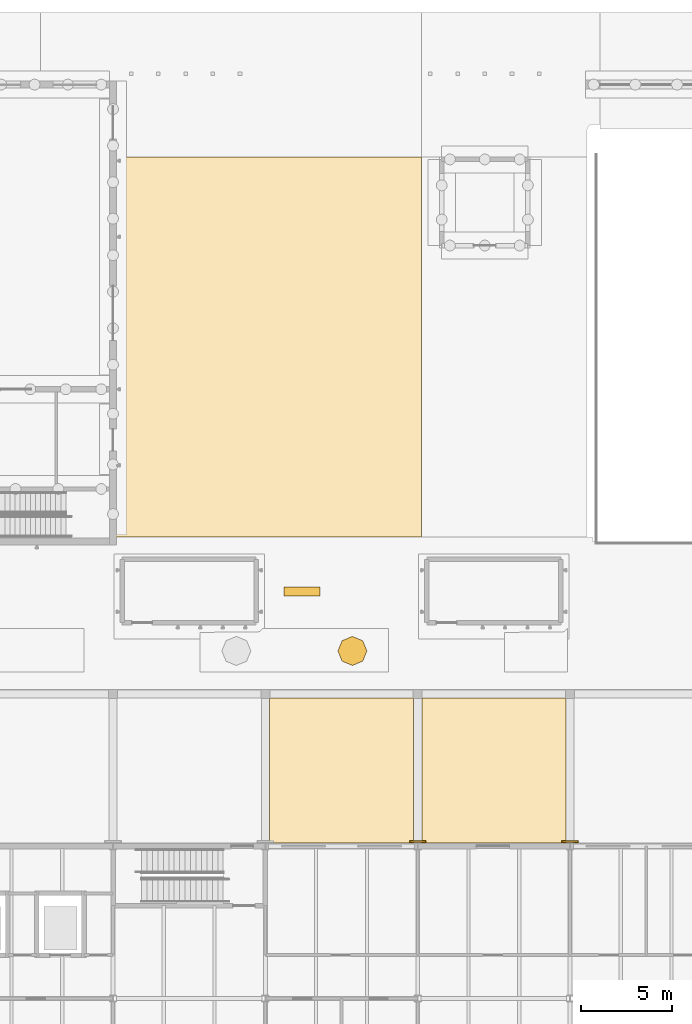
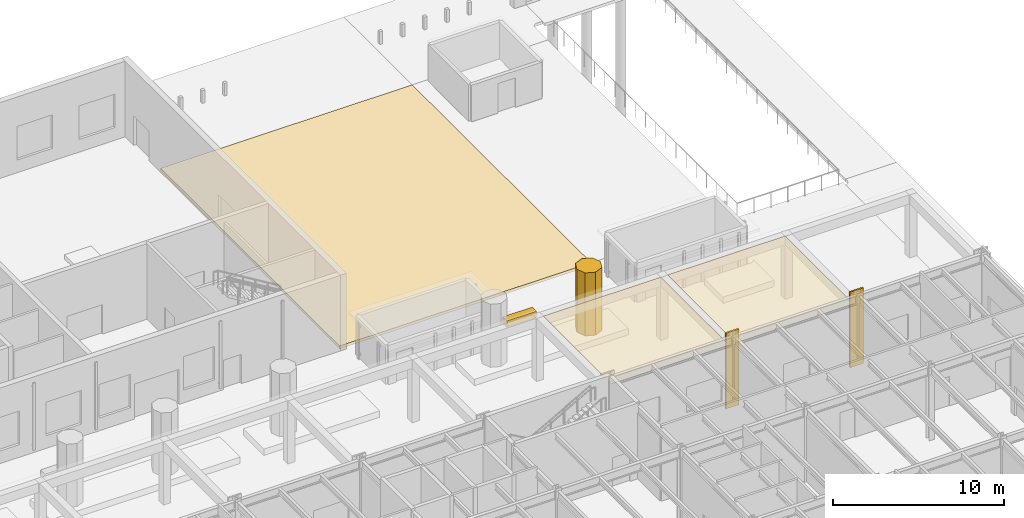
# One storey, part 122 of 127: 7 coverings.
"""IFC4 building model written with IfcOpenShell, lengths in metres."""

from ifc_helpers import new_model, si_unit, direction, frame, origin, origin_2d, place, context, subcontext, project, spatial, polyline, rectangle, outline, extrude, material, layer, layer_set, type_object, element, save


model = new_model("IFC4")

# Units and contexts
model_context = context("Model", 3, precision=1e-05, world=origin(), true_north=direction((0.0, 1.0)))
body_context = subcontext(model_context, "Body", "Model", "MODEL_VIEW")
ifc_project = project(units=[si_unit("LENGTHUNIT", "METRE"), si_unit("AREAUNIT", "SQUARE_METRE"), si_unit("VOLUMEUNIT", "CUBIC_METRE"), si_unit("PLANEANGLEUNIT", "RADIAN"), si_unit("MASSUNIT", "GRAM", prefix="KILO")], contexts=[model_context])

# Site, building, storey
site_placement = place(None, origin())
site = spatial("IfcSite", under=ifc_project, at=site_placement, CompositionType="ELEMENT")
building_placement = place(site_placement, origin())
building = spatial("IfcBuilding", under=site, at=building_placement, Name="Ljudholm Concert House", CompositionType="ELEMENT")
storey_placement = place(building_placement, origin())
storey = spatial("IfcBuildingStorey", under=building, at=storey_placement, Name="L00", CompositionType="ELEMENT", Elevation=0.0)

# Coverings
ifc_material_1 = material(Name="Aluminium soffit panels, timber-grain PVDF finish", Category="aluminium")
ifc_layer_1 = layer(ifc_material_1, 0.02001953125)
ifc_layer_set_1 = layer_set([ifc_layer_1], Name="Aluminium soffit panels, timber-grain PVDF finish")
covering_type_1 = type_object("IfcCoveringType", Name="ALUMINIUM SOFFIT PANELS, TIMBER-GRAIN PVDF FINISH CEILING 20", PredefinedType="CEILING", material=ifc_layer_set_1)
covering_1_placement = place(storey_placement, frame((0.0, 0.0, 4.47998046875)))
element("IfcCovering", 1, at=covering_1_placement, inside=storey, type_object=covering_type_1, Name="Arcade soffit", PredefinedType="CEILING", context=body_context, shape_type="SweptSolid", body=[
    extrude(outline(polyline([(96.625, 130.186767578125), (104.574951171875, 130.186767578125), (104.574951171875, 138.175048828125), (96.625, 138.175048828125), (96.625, 130.186767578125)])), origin(), (0.0, 0.0, 1.0), 0.02001953125),
])
covering_2_placement = place(storey_placement, frame((0.0, 0.0, 4.47998046875)))
element("IfcCovering", 2, at=covering_2_placement, inside=storey, type_object=covering_type_1, Name="Arcade soffit", PredefinedType="CEILING", context=body_context, shape_type="SweptSolid", body=[
    extrude(outline(polyline([(105.02490234375, 130.186767578125), (112.97509765625, 130.186767578125), (112.97509765625, 138.175048828125), (105.02490234375, 138.175048828125), (105.02490234375, 130.186767578125)])), origin(), (0.0, 0.0, 1.0), 0.02001953125),
])
ifc_material_2 = material(Name="Precast concrete pavers on compacted sand bed", Category="concrete")
ifc_layer_2 = layer(ifc_material_2, 0.199951171875)
ifc_layer_set_2 = layer_set([ifc_layer_2], Name="Precast concrete pavers on compacted sand bed")
covering_type_2 = type_object("IfcCoveringType", Name="PRECAST CONCRETE PAVERS ON COMPACTED SAND BED PAVING 200", PredefinedType="USERDEFINED", material=ifc_layer_set_2)
covering_3_placement = place(storey_placement, frame((0.0, 0.0, -0.199951171875)))
element("IfcCovering", 3, at=covering_3_placement, inside=storey, type_object=covering_type_2, Name="Paving", ObjectType="PAVING", PredefinedType="USERDEFINED", context=body_context, shape_type="SweptSolid", body=[
    extrude(outline(polyline([(88.0, 147.050048828125), (88.0, 168.0), (105.0, 168.0), (105.0, 147.050048828125), (88.0, 147.050048828125)])), origin(), (0.0, 0.0, 1.0), 0.199951171875),
])
ifc_material_3 = material(Name="Precast concrete, limestone aggregate", Category="masonry")
ifc_layer_3 = layer(ifc_material_3, 0.110107421875)
ifc_layer_set_3 = layer_set([ifc_layer_3], Name="Precast concrete, limestone aggregate")
covering_type_3 = type_object("IfcCoveringType", Name="PRECAST CONCRETE, LIMESTONE AGGREGATE CLADDING 110", PredefinedType="CLADDING", material=ifc_layer_set_3)
for number, where, z_axis, x_axis, name in (
    (4, (104.800048828125, 130.2451171875, 0.0), (0.0, 0.0, 1.0), (0.0, 1.0, 0.0), "Pilaster cladding"),
    (5, (113.199951171875, 130.2451171875, 0.0), (0.0, 0.0, 1.0), (0.0, 1.0, 0.0), "Pilaster cladding"),
):
    element("IfcCovering", number, at=place(storey_placement, frame(where, z_axis=z_axis, x_axis=x_axis)), inside=storey, type_object=covering_type_3, Name=name, PredefinedType="CLADDING", context=body_context, shape_type="SweptSolid", body=[
        extrude(rectangle(XDim=0.110107421875, YDim=0.89990234375, at=origin_2d()), origin(), (0.0, 0.0, 1.0), 5.39990234375),
    ])
ifc_material_4 = material(Name="Timber-grain hardwood decking on concrete plinth", Category="concrete")
ifc_layer_4 = layer(ifc_material_4, 0.449951171875)
ifc_layer_set_4 = layer_set([ifc_layer_4], Name="Timber-grain hardwood decking on concrete plinth")
covering_type_4 = type_object("IfcCoveringType", Name="TIMBER-GRAIN HARDWOOD DECKING ON CONCRETE PLINTH FLOOR FINISH 450", PredefinedType="FLOORING", material=ifc_layer_set_4)
covering_4_placement = place(storey_placement, origin())
element("IfcCovering", 6, at=covering_4_placement, inside=storey, type_object=covering_type_4, Name="Timber seating platform", PredefinedType="FLOORING", context=body_context, shape_type="SweptSolid", body=[
    extrude(outline(polyline([(97.419921875, 143.800048828125), (99.419921875, 143.800048828125), (99.419921875, 144.300048828125), (97.419921875, 144.300048828125), (97.419921875, 143.800048828125)])), origin(), (0.0, 0.0, 1.0), 0.449951171875),
])
ifc_material_5 = material(Name="Tree planting")
covering_type_5 = type_object("IfcCoveringType", Name="TREE TRUNK AND CROWN 1600", PredefinedType="USERDEFINED", material=ifc_material_5)
covering_5_placement = place(storey_placement, frame((0.0, 0.0, 0.449951171875)))
element("IfcCovering", 7, at=covering_5_placement, inside=storey, type_object=covering_type_5, Name="Tree", ObjectType="TREE", PredefinedType="USERDEFINED", context=body_context, shape_type="SweptSolid", body=[
    extrude(outline(polyline([(102.0, 140.769775390625), (101.765625, 141.33544921875), (101.199951171875, 141.56982421875), (100.63427734375, 141.33544921875), (100.39990234375, 140.769775390625), (100.63427734375, 140.2041015625), (101.199951171875, 139.969970703125), (101.765625, 140.2041015625), (102.0, 140.769775390625)])), origin(), (0.0, 0.0, 1.0), 4.5),
])

save(model, "model.ifc")
